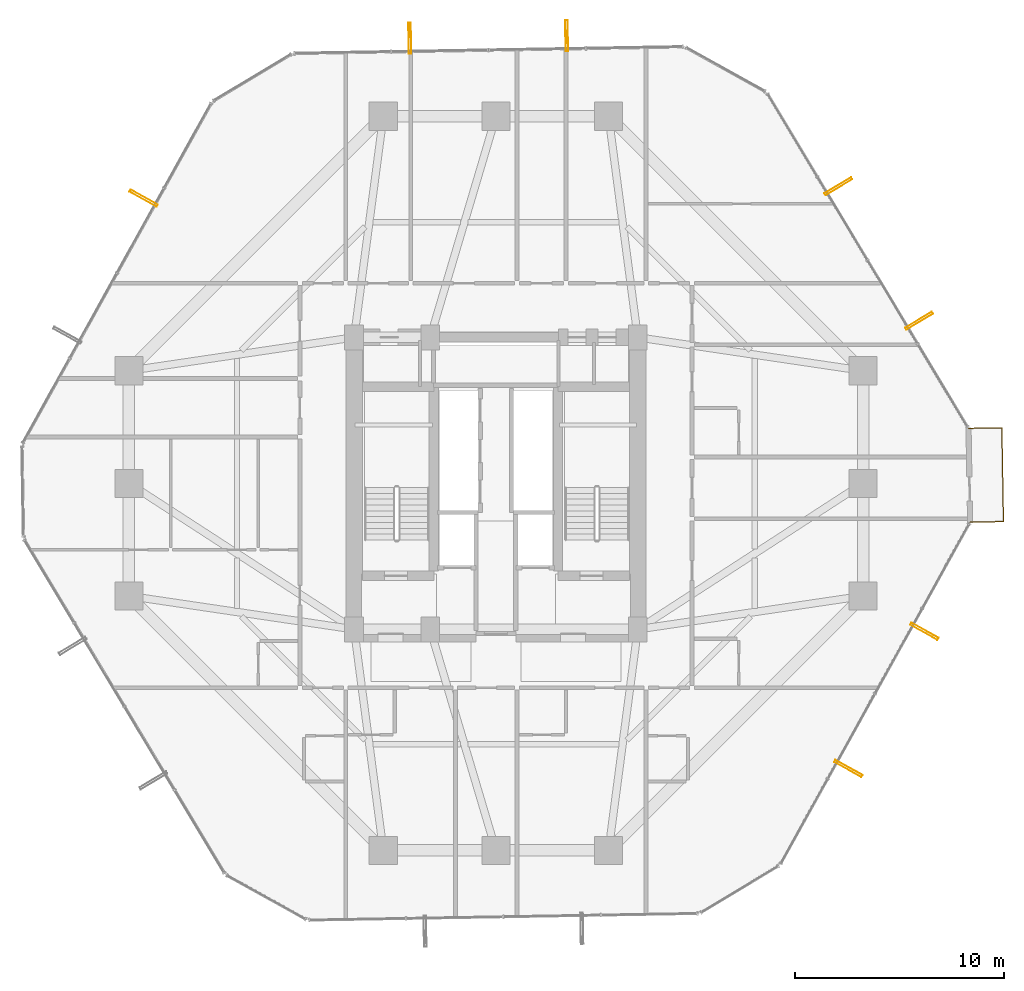
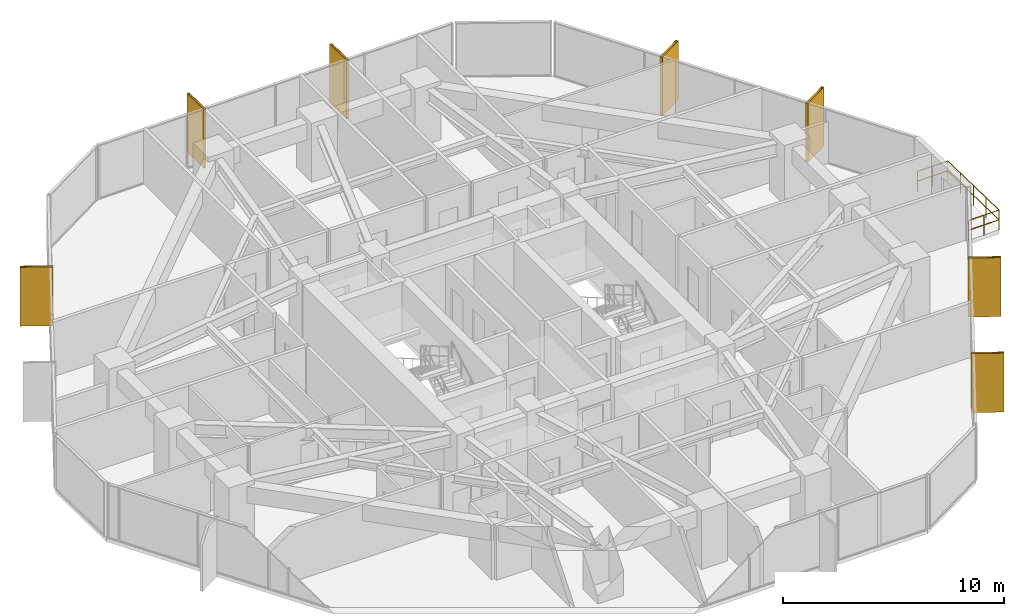
# One storey, part 39 of 39: 7 shading devices, 1 railing.
"""IFC4 building model written with IfcOpenShell, lengths in metres."""

from ifc_helpers import new_model, si_unit, direction, frame, origin, origin_2d, place, context, subcontext, project, spatial, hollow_rectangle, circle, extrude, material, material_profile, profile_set, type_object, element, save


model = new_model("IFC4")

# Units and contexts
model_context = context("Model", 3, precision=1e-05, world=origin(), true_north=direction((0.0, 1.0)))
body_context = subcontext(model_context, "Body", "Model", "MODEL_VIEW")
ifc_project = project(units=[si_unit("LENGTHUNIT", "METRE"), si_unit("AREAUNIT", "SQUARE_METRE"), si_unit("VOLUMEUNIT", "CUBIC_METRE"), si_unit("PLANEANGLEUNIT", "RADIAN"), si_unit("MASSUNIT", "GRAM", prefix="KILO")], contexts=[model_context])

# Site, building, storey
site_placement = place(None, origin())
site = spatial("IfcSite", under=ifc_project, at=site_placement, CompositionType="ELEMENT")
building_placement = place(site_placement, origin())
building = spatial("IfcBuilding", under=site, at=building_placement, Name="Veraguas Prism Commons", CompositionType="ELEMENT")
storey_placement = place(building_placement, frame((0.0, 0.0, 27.300048828125)))
storey = spatial("IfcBuildingStorey", under=building, at=storey_placement, Name="L06", CompositionType="ELEMENT", Elevation=27.300048828125)

# Shading devices
ifc_material_1 = material(Name="Anodised aluminium EN AW-6063 T6", Category="aluminium")
ifc_material_profile = material_profile(ifc_material_1, hollow_rectangle(XDim=0.1201171875, YDim=1.489990234375, WallThickness=0.006103515625, at=origin_2d()), Name="FIN120X1490X6")
ifc_profile_set = profile_set([ifc_material_profile], Name="Anodised aluminium EN AW-6063 T6")
shading_device_type = type_object("IfcShadingDeviceType", Name="Deep Pale-Metal Vertical Solar Fin 120x1490", PredefinedType="USERDEFINED", material=ifc_profile_set)
for number, where, z_axis, x_axis, name in (
    (1, (44.291259765625, 31.796142578125, -0.22998046875), (0.0, 0.0, 1.0), (-0.514738835705, 0.85734703068, 0.0), "Vertical Pale-Metal Solar Fin L06-F1A"),
    (2, (40.419677734375, 38.24462890625, -0.22998046875), (0.0, 0.0, 1.0), (-0.514738835705, 0.85734703068, 0.0), "Vertical Pale-Metal Solar Fin L06-F1B"),
    (3, (27.39404296875, 45.470703125, -0.22998046875), (0.0, 0.0, 1.0), (-0.999853726281, -0.017103392695, 0.0), "Vertical Pale-Metal Solar Fin L06-F2A"),
    (4, (19.87353515625, 45.34228515625, -0.22998046875), (0.0, 0.0, 1.0), (-0.999853726281, -0.017103392695, 0.0), "Vertical Pale-Metal Solar Fin L06-F2B"),
    (5, (7.102783203125, 37.6748046875, -0.22998046875), (0.0, 0.0, 1.0), (-0.485114890576, -0.874450423376, 0.0), "Vertical Pale-Metal Solar Fin L06-F3A"),
    (6, (40.897216796875, 10.3251953125, -0.22998046875), (0.0, 0.0, 1.0), (0.485114890576, 0.874450423376, 0.0), "Vertical Pale-Metal Solar Fin L06-F6A"),
    (7, (44.5458984375, 16.902587890625, -0.22998046875), (0.0, 0.0, 1.0), (0.485114890576, 0.874450423376, 0.0), "Vertical Pale-Metal Solar Fin L06-F6B"),
):
    element("IfcShadingDevice", number, at=place(storey_placement, frame(where, z_axis=z_axis, x_axis=x_axis)), inside=storey, type_object=shading_device_type, Name=name, ObjectType="FIN", PredefinedType="USERDEFINED", context=body_context, shape_type="SweptSolid", body=[
        extrude(hollow_rectangle(XDim=0.1201171875, YDim=1.489990234375, WallThickness=0.006103515625, at=origin_2d()), origin(), (0.0, 0.0, 1.0), 3.25),
    ])

# Railing
ifc_material_2 = material(Name="Stainless steel AISI 316", Category="steel")
railing_type = type_object("IfcRailingType", Name="Loggia and Sky Pool Glazed Balustrade 1120", PredefinedType="BALUSTRADE", material=ifc_material_2)
railing_placement = place(storey_placement, frame((46.736083984375, 22.138671875, 0.0)))
element("IfcRailing", 8, at=railing_placement, inside=storey, type_object=railing_type, Name="Recessed Corner Loggia L06-C1 Guard", PredefinedType="BALUSTRADE", context=body_context, shape_type="SweptSolid", body=[
    extrude(circle(Radius=0.02392578125, at=origin_2d()), frame((0.0, 0.0, 1.09619140625), z_axis=(0.999853973869, 0.017088912723, 0.0), x_axis=(-0.017088912723, 0.999853973869, 0.0)), (0.0, 0.0, 1.0), 1.60009765625),
    extrude(circle(Radius=0.02392578125, at=origin_2d()), frame((0.0, 0.0, 0.56005859375), z_axis=(0.999853973869, 0.017088912723, 0.0), x_axis=(-0.017088912723, 0.999853973869, 0.0)), (0.0, 0.0, 1.0), 1.60009765625),
    extrude(circle(Radius=0.02392578125, at=origin_2d()), frame((1.599853515625, 0.02734375, 1.09619140625), z_axis=(-0.017090129427, 0.999853953073, 0.0), x_axis=(-0.999853953073, -0.017090129427, 0.0)), (0.0, 0.0, 1.0), 4.5),
    extrude(circle(Radius=0.02392578125, at=origin_2d()), frame((1.599853515625, 0.02734375, 0.56005859375), z_axis=(-0.017090129427, 0.999853953073, 0.0), x_axis=(-0.999853953073, -0.017090129427, 0.0)), (0.0, 0.0, 1.0), 4.5),
    extrude(circle(Radius=0.02392578125, at=origin_2d()), frame((1.52294921875, 4.526611328125, 1.09619140625), z_axis=(-0.999853973869, -0.017088912723, 0.0), x_axis=(0.017088912723, -0.999853973869, 0.0)), (0.0, 0.0, 1.0), 1.60009765625),
    extrude(circle(Radius=0.02392578125, at=origin_2d()), frame((1.52294921875, 4.526611328125, 0.56005859375), z_axis=(-0.999853973869, -0.017088912723, 0.0), x_axis=(0.017088912723, -0.999853973869, 0.0)), (0.0, 0.0, 1.0), 1.60009765625),
    extrude(circle(Radius=0.02099609375, at=origin_2d()), origin(), (0.0, 0.0, 1.0), 1.072021484375),
    extrude(circle(Radius=0.02099609375, at=origin_2d()), frame((0.7998046875, 0.013671875, 0.0)), (0.0, 0.0, 1.0), 1.072021484375),
    extrude(circle(Radius=0.02099609375, at=origin_2d()), frame((1.599853515625, 0.02734375, 0.0)), (0.0, 0.0, 1.0), 1.072021484375),
    extrude(circle(Radius=0.02099609375, at=origin_2d()), frame((1.58056640625, 1.152099609375, 0.0)), (0.0, 0.0, 1.0), 1.072021484375),
    extrude(circle(Radius=0.02099609375, at=origin_2d()), frame((1.5615234375, 2.27685546875, 0.0)), (0.0, 0.0, 1.0), 1.072021484375),
    extrude(circle(Radius=0.02099609375, at=origin_2d()), frame((1.542236328125, 3.40185546875, 0.0)), (0.0, 0.0, 1.0), 1.072021484375),
    extrude(circle(Radius=0.02099609375, at=origin_2d()), frame((1.52294921875, 4.526611328125, 0.0)), (0.0, 0.0, 1.0), 1.072021484375),
    extrude(circle(Radius=0.02099609375, at=origin_2d()), frame((0.72314453125, 4.512939453125, 0.0)), (0.0, 0.0, 1.0), 1.072021484375),
    extrude(circle(Radius=0.02099609375, at=origin_2d()), frame((-0.076904296875, 4.499267578125, 0.0)), (0.0, 0.0, 1.0), 1.072021484375),
])

save(model, "model.ifc")
